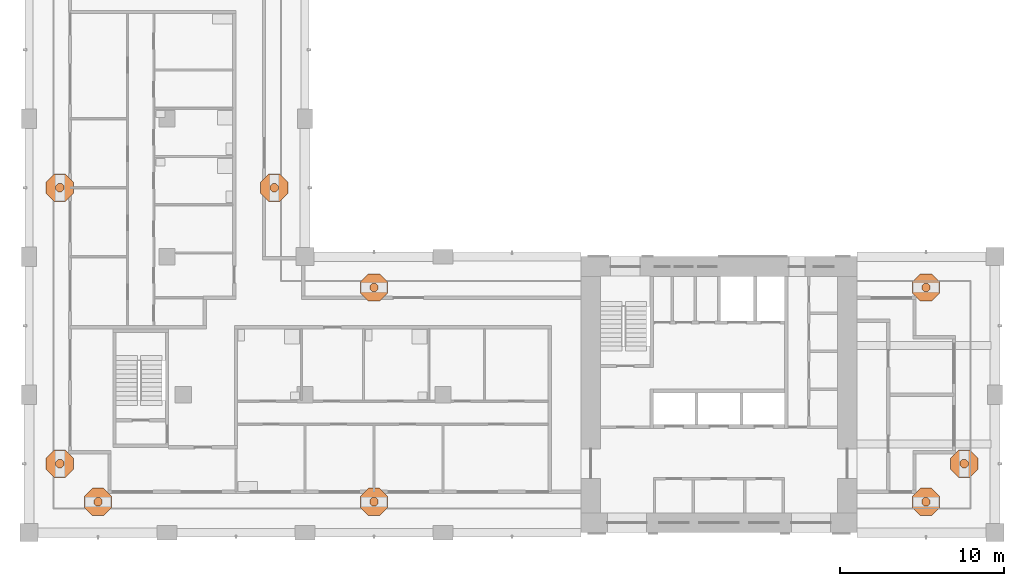
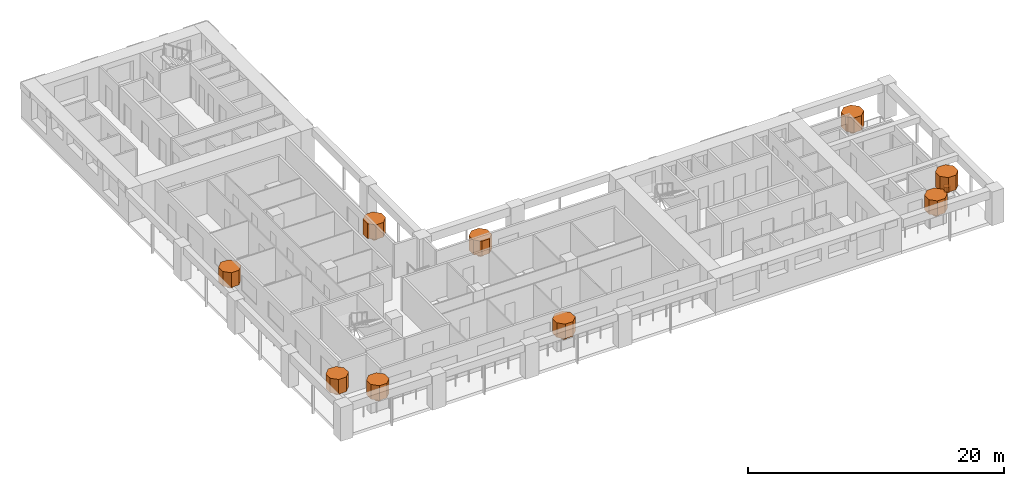
# One storey, part 13 of 13: 18 geographic elements.
"""IFC4 building model written with IfcOpenShell, lengths in metres."""

from ifc_helpers import new_model, si_unit, direction, frame, origin, place, context, subcontext, project, spatial, polyline, outline, extrude, material, element, save


model = new_model("IFC4")

# Units and contexts
model_context = context("Model", 3, precision=1e-05, world=origin(), true_north=direction((0.0, 1.0)))
body_context = subcontext(model_context, "Body", "Model", "MODEL_VIEW")
ifc_project = project(units=[si_unit("LENGTHUNIT", "METRE"), si_unit("AREAUNIT", "SQUARE_METRE"), si_unit("VOLUMEUNIT", "CUBIC_METRE"), si_unit("PLANEANGLEUNIT", "RADIAN"), si_unit("MASSUNIT", "GRAM", prefix="KILO")], contexts=[model_context])

# Site, building, storey
site_placement = place(None, origin())
site = spatial("IfcSite", under=ifc_project, at=site_placement, CompositionType="ELEMENT")
building_placement = place(site_placement, origin())
building = spatial("IfcBuilding", under=site, at=building_placement, Name="Vermilion Gate Residences", CompositionType="ELEMENT")
storey_placement = place(building_placement, frame((0.0, 0.0, 165.199951171875)))
storey = spatial("IfcBuildingStorey", under=building, at=storey_placement, Name="L42", CompositionType="ELEMENT", Elevation=165.199951171875)

# Geographic elements
ifc_material = material(Name="Foliage")
geographic_element_1_placement = place(storey_placement, frame((0.0, 0.0, 0.900146484375)))
element("IfcGeographicElement", 1, at=geographic_element_1_placement, inside=storey, material=ifc_material, Name="Tree (maple)", ObjectType="TREE", PredefinedType="USERDEFINED", context=body_context, shape_type="SweptSolid", body=[
    extrude(outline(polyline([(12.85400390625, 10.380126953125), (12.705078125, 10.529052734375), (12.494873046875, 10.529052734375), (12.345947265625, 10.380126953125), (12.345947265625, 10.169921875), (12.494873046875, 10.02099609375), (12.705078125, 10.02099609375), (12.85400390625, 10.169921875), (12.85400390625, 10.380126953125)])), origin(), (0.0, 0.0, 1.0), 0.52001953125),
])
geographic_element_2_placement = place(storey_placement, frame((0.0, 0.0, 1.420166015625)))
element("IfcGeographicElement", 2, at=geographic_element_2_placement, inside=storey, material=ifc_material, Name="Tree crown (maple)", ObjectType="TREE", PredefinedType="USERDEFINED", context=body_context, shape_type="SweptSolid", body=[
    extrude(outline(polyline([(13.431396484375, 10.619384765625), (12.9443359375, 11.1064453125), (12.255615234375, 11.1064453125), (11.7685546875, 10.619384765625), (11.7685546875, 9.9306640625), (12.255615234375, 9.443603515625), (12.9443359375, 9.443603515625), (13.431396484375, 9.9306640625), (13.431396484375, 10.619384765625)])), origin(), (0.0, 0.0, 1.0), 1.39990234375),
])
geographic_element_3_placement = place(storey_placement, frame((0.0, 0.0, 0.900146484375)))
element("IfcGeographicElement", 3, at=geographic_element_3_placement, inside=storey, material=ifc_material, Name="Tree (black pine)", ObjectType="TREE", PredefinedType="USERDEFINED", context=body_context, shape_type="SweptSolid", body=[
    extrude(outline(polyline([(29.654052734375, 10.380126953125), (29.505126953125, 10.529052734375), (29.294921875, 10.529052734375), (29.14599609375, 10.380126953125), (29.14599609375, 10.169921875), (29.294921875, 10.02099609375), (29.505126953125, 10.02099609375), (29.654052734375, 10.169921875), (29.654052734375, 10.380126953125)])), origin(), (0.0, 0.0, 1.0), 0.52001953125),
])
geographic_element_4_placement = place(storey_placement, frame((0.0, 0.0, 1.420166015625)))
element("IfcGeographicElement", 4, at=geographic_element_4_placement, inside=storey, material=ifc_material, Name="Tree crown (black pine)", ObjectType="TREE", PredefinedType="USERDEFINED", context=body_context, shape_type="SweptSolid", body=[
    extrude(outline(polyline([(30.2314453125, 10.619384765625), (29.744384765625, 11.1064453125), (29.0556640625, 11.1064453125), (28.568603515625, 10.619384765625), (28.568603515625, 9.9306640625), (29.0556640625, 9.443603515625), (29.744384765625, 9.443603515625), (30.2314453125, 9.9306640625), (30.2314453125, 10.619384765625)])), origin(), (0.0, 0.0, 1.0), 1.39990234375),
])
geographic_element_5_placement = place(storey_placement, frame((0.0, 0.0, 0.900146484375)))
element("IfcGeographicElement", 5, at=geographic_element_5_placement, inside=storey, material=ifc_material, Name="Tree (black pine)", ObjectType="TREE", PredefinedType="USERDEFINED", context=body_context, shape_type="SweptSolid", body=[
    extrude(outline(polyline([(63.254150390625, 10.380126953125), (63.105224609375, 10.529052734375), (62.894775390625, 10.529052734375), (62.745849609375, 10.380126953125), (62.745849609375, 10.169921875), (62.894775390625, 10.02099609375), (63.105224609375, 10.02099609375), (63.254150390625, 10.169921875), (63.254150390625, 10.380126953125)])), origin(), (0.0, 0.0, 1.0), 0.52001953125),
])
geographic_element_6_placement = place(storey_placement, frame((0.0, 0.0, 1.420166015625)))
element("IfcGeographicElement", 6, at=geographic_element_6_placement, inside=storey, material=ifc_material, Name="Tree crown (black pine)", ObjectType="TREE", PredefinedType="USERDEFINED", context=body_context, shape_type="SweptSolid", body=[
    extrude(outline(polyline([(63.83154296875, 10.619384765625), (63.344482421875, 11.1064453125), (62.655517578125, 11.1064453125), (62.16845703125, 10.619384765625), (62.16845703125, 9.9306640625), (62.655517578125, 9.443603515625), (63.344482421875, 9.443603515625), (63.83154296875, 9.9306640625), (63.83154296875, 10.619384765625)])), origin(), (0.0, 0.0, 1.0), 1.39990234375),
])
geographic_element_7_placement = place(storey_placement, frame((0.0, 0.0, 0.900146484375)))
element("IfcGeographicElement", 7, at=geographic_element_7_placement, inside=storey, material=ifc_material, Name="Tree (maple)", ObjectType="TREE", PredefinedType="USERDEFINED", context=body_context, shape_type="SweptSolid", body=[
    extrude(outline(polyline([(65.5791015625, 12.705078125), (65.43017578125, 12.85400390625), (65.2197265625, 12.85400390625), (65.07080078125, 12.705078125), (65.07080078125, 12.494873046875), (65.2197265625, 12.345947265625), (65.43017578125, 12.345947265625), (65.5791015625, 12.494873046875), (65.5791015625, 12.705078125)])), origin(), (0.0, 0.0, 1.0), 0.52001953125),
])
geographic_element_8_placement = place(storey_placement, frame((0.0, 0.0, 1.420166015625)))
element("IfcGeographicElement", 8, at=geographic_element_8_placement, inside=storey, material=ifc_material, Name="Tree crown (maple)", ObjectType="TREE", PredefinedType="USERDEFINED", context=body_context, shape_type="SweptSolid", body=[
    extrude(outline(polyline([(66.156494140625, 12.9443359375), (65.66943359375, 13.431396484375), (64.980712890625, 13.431396484375), (64.493408203125, 12.9443359375), (64.493408203125, 12.255615234375), (64.980712890625, 11.7685546875), (65.66943359375, 11.7685546875), (66.156494140625, 12.255615234375), (66.156494140625, 12.9443359375)])), origin(), (0.0, 0.0, 1.0), 1.39990234375),
])
geographic_element_9_placement = place(storey_placement, frame((0.0, 0.0, 0.900146484375)))
element("IfcGeographicElement", 9, at=geographic_element_9_placement, inside=storey, material=ifc_material, Name="Tree (black pine)", ObjectType="TREE", PredefinedType="USERDEFINED", context=body_context, shape_type="SweptSolid", body=[
    extrude(outline(polyline([(29.654052734375, 23.43017578125), (29.505126953125, 23.5791015625), (29.294921875, 23.5791015625), (29.14599609375, 23.43017578125), (29.14599609375, 23.2197265625), (29.294921875, 23.07080078125), (29.505126953125, 23.07080078125), (29.654052734375, 23.2197265625), (29.654052734375, 23.43017578125)])), origin(), (0.0, 0.0, 1.0), 0.52001953125),
])
geographic_element_10_placement = place(storey_placement, frame((0.0, 0.0, 1.420166015625)))
element("IfcGeographicElement", 10, at=geographic_element_10_placement, inside=storey, material=ifc_material, Name="Tree crown (black pine)", ObjectType="TREE", PredefinedType="USERDEFINED", context=body_context, shape_type="SweptSolid", body=[
    extrude(outline(polyline([(30.2314453125, 23.66943359375), (29.744384765625, 24.156494140625), (29.0556640625, 24.156494140625), (28.568603515625, 23.66943359375), (28.568603515625, 22.980712890625), (29.0556640625, 22.493408203125), (29.744384765625, 22.493408203125), (30.2314453125, 22.980712890625), (30.2314453125, 23.66943359375)])), origin(), (0.0, 0.0, 1.0), 1.39990234375),
])
geographic_element_11_placement = place(storey_placement, frame((0.0, 0.0, 0.900146484375)))
element("IfcGeographicElement", 11, at=geographic_element_11_placement, inside=storey, material=ifc_material, Name="Tree (black pine)", ObjectType="TREE", PredefinedType="USERDEFINED", context=body_context, shape_type="SweptSolid", body=[
    extrude(outline(polyline([(63.254150390625, 23.43017578125), (63.105224609375, 23.5791015625), (62.894775390625, 23.5791015625), (62.745849609375, 23.43017578125), (62.745849609375, 23.2197265625), (62.894775390625, 23.07080078125), (63.105224609375, 23.07080078125), (63.254150390625, 23.2197265625), (63.254150390625, 23.43017578125)])), origin(), (0.0, 0.0, 1.0), 0.52001953125),
])
geographic_element_12_placement = place(storey_placement, frame((0.0, 0.0, 1.420166015625)))
element("IfcGeographicElement", 12, at=geographic_element_12_placement, inside=storey, material=ifc_material, Name="Tree crown (black pine)", ObjectType="TREE", PredefinedType="USERDEFINED", context=body_context, shape_type="SweptSolid", body=[
    extrude(outline(polyline([(63.83154296875, 23.66943359375), (63.344482421875, 24.156494140625), (62.655517578125, 24.156494140625), (62.16845703125, 23.66943359375), (62.16845703125, 22.980712890625), (62.655517578125, 22.493408203125), (63.344482421875, 22.493408203125), (63.83154296875, 22.980712890625), (63.83154296875, 23.66943359375)])), origin(), (0.0, 0.0, 1.0), 1.39990234375),
])
geographic_element_13_placement = place(storey_placement, frame((0.0, 0.0, 0.900146484375)))
element("IfcGeographicElement", 13, at=geographic_element_13_placement, inside=storey, material=ifc_material, Name="Tree (black pine)", ObjectType="TREE", PredefinedType="USERDEFINED", context=body_context, shape_type="SweptSolid", body=[
    extrude(outline(polyline([(23.5791015625, 29.505126953125), (23.43017578125, 29.654052734375), (23.2197265625, 29.654052734375), (23.07080078125, 29.505126953125), (23.07080078125, 29.294921875), (23.2197265625, 29.14599609375), (23.43017578125, 29.14599609375), (23.5791015625, 29.294921875), (23.5791015625, 29.505126953125)])), origin(), (0.0, 0.0, 1.0), 0.52001953125),
])
geographic_element_14_placement = place(storey_placement, frame((0.0, 0.0, 1.420166015625)))
element("IfcGeographicElement", 14, at=geographic_element_14_placement, inside=storey, material=ifc_material, Name="Tree crown (black pine)", ObjectType="TREE", PredefinedType="USERDEFINED", context=body_context, shape_type="SweptSolid", body=[
    extrude(outline(polyline([(24.156494140625, 29.744384765625), (23.66943359375, 30.2314453125), (22.980712890625, 30.2314453125), (22.493408203125, 29.744384765625), (22.493408203125, 29.0556640625), (22.980712890625, 28.568603515625), (23.66943359375, 28.568603515625), (24.156494140625, 29.0556640625), (24.156494140625, 29.744384765625)])), origin(), (0.0, 0.0, 1.0), 1.39990234375),
])
geographic_element_15_placement = place(storey_placement, frame((0.0, 0.0, 0.900146484375)))
element("IfcGeographicElement", 15, at=geographic_element_15_placement, inside=storey, material=ifc_material, Name="Tree (maple)", ObjectType="TREE", PredefinedType="USERDEFINED", context=body_context, shape_type="SweptSolid", body=[
    extrude(outline(polyline([(10.529052734375, 12.705078125), (10.380126953125, 12.85400390625), (10.169921875, 12.85400390625), (10.02099609375, 12.705078125), (10.02099609375, 12.494873046875), (10.169921875, 12.345947265625), (10.380126953125, 12.345947265625), (10.529052734375, 12.494873046875), (10.529052734375, 12.705078125)])), origin(), (0.0, 0.0, 1.0), 0.52001953125),
])
geographic_element_16_placement = place(storey_placement, frame((0.0, 0.0, 1.420166015625)))
element("IfcGeographicElement", 16, at=geographic_element_16_placement, inside=storey, material=ifc_material, Name="Tree crown (maple)", ObjectType="TREE", PredefinedType="USERDEFINED", context=body_context, shape_type="SweptSolid", body=[
    extrude(outline(polyline([(11.1064453125, 12.9443359375), (10.619384765625, 13.431396484375), (9.9306640625, 13.431396484375), (9.443603515625, 12.9443359375), (9.443603515625, 12.255615234375), (9.9306640625, 11.7685546875), (10.619384765625, 11.7685546875), (11.1064453125, 12.255615234375), (11.1064453125, 12.9443359375)])), origin(), (0.0, 0.0, 1.0), 1.39990234375),
])
geographic_element_17_placement = place(storey_placement, frame((0.0, 0.0, 0.900146484375)))
element("IfcGeographicElement", 17, at=geographic_element_17_placement, inside=storey, material=ifc_material, Name="Tree (black pine)", ObjectType="TREE", PredefinedType="USERDEFINED", context=body_context, shape_type="SweptSolid", body=[
    extrude(outline(polyline([(10.529052734375, 29.505126953125), (10.380126953125, 29.654052734375), (10.169921875, 29.654052734375), (10.02099609375, 29.505126953125), (10.02099609375, 29.294921875), (10.169921875, 29.14599609375), (10.380126953125, 29.14599609375), (10.529052734375, 29.294921875), (10.529052734375, 29.505126953125)])), origin(), (0.0, 0.0, 1.0), 0.52001953125),
])
geographic_element_18_placement = place(storey_placement, frame((0.0, 0.0, 1.420166015625)))
element("IfcGeographicElement", 18, at=geographic_element_18_placement, inside=storey, material=ifc_material, Name="Tree crown (black pine)", ObjectType="TREE", PredefinedType="USERDEFINED", context=body_context, shape_type="SweptSolid", body=[
    extrude(outline(polyline([(11.1064453125, 29.744384765625), (10.619384765625, 30.2314453125), (9.9306640625, 30.2314453125), (9.443603515625, 29.744384765625), (9.443603515625, 29.0556640625), (9.9306640625, 28.568603515625), (10.619384765625, 28.568603515625), (11.1064453125, 29.0556640625), (11.1064453125, 29.744384765625)])), origin(), (0.0, 0.0, 1.0), 1.39990234375),
])

save(model, "model.ifc")
